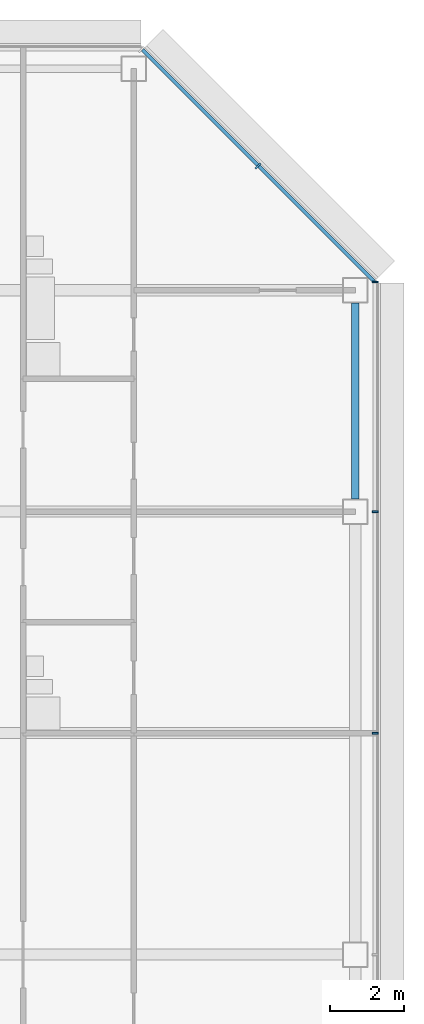
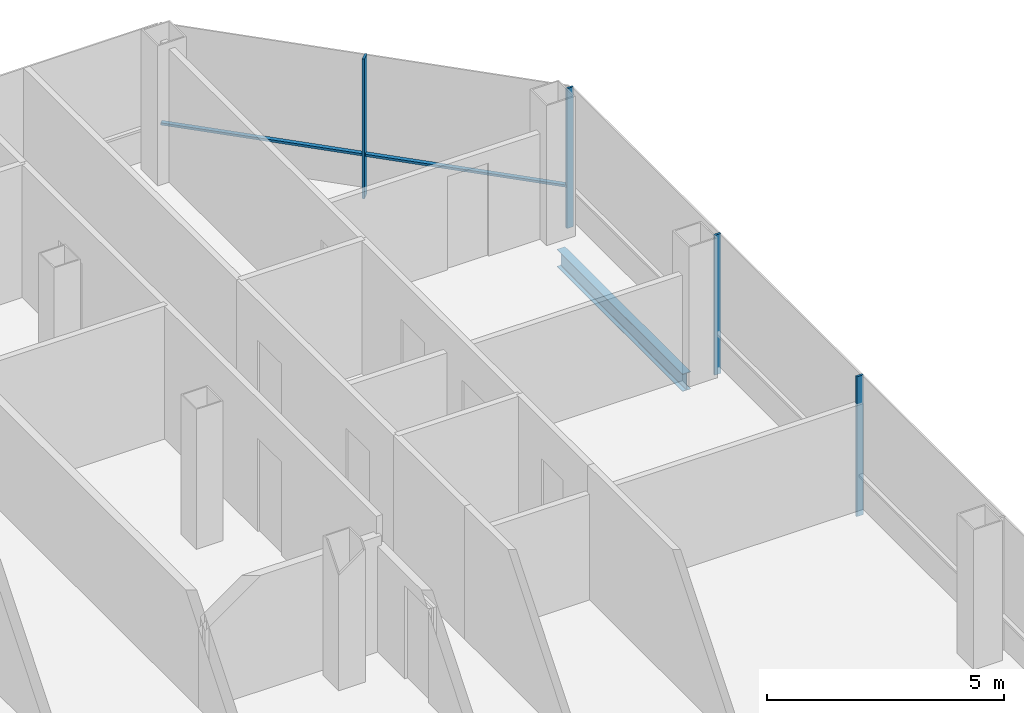
# One storey, part 17 of 26: 5 members, 1 beam, 2 elements without a shape of their own.
"""IFC4 building model written with IfcOpenShell, lengths in metres."""

from ifc_helpers import new_model, si_unit, direction, frame, origin, origin_2d, place, context, subcontext, project, spatial, rectangle, i_section, extrude, material, material_profile, profile_set, type_object, element, aggregate, save


model = new_model("IFC4")

# Units and contexts
model_context = context("Model", 3, precision=1e-05, world=origin(), true_north=direction((0.0, 1.0)))
body_context = subcontext(model_context, "Body", "Model", "MODEL_VIEW")
ifc_project = project(units=[si_unit("LENGTHUNIT", "METRE"), si_unit("AREAUNIT", "SQUARE_METRE"), si_unit("VOLUMEUNIT", "CUBIC_METRE"), si_unit("PLANEANGLEUNIT", "RADIAN"), si_unit("MASSUNIT", "GRAM", prefix="KILO")], contexts=[model_context])

# Site, building, storey
site_placement = place(None, origin())
site = spatial("IfcSite", under=ifc_project, at=site_placement, CompositionType="ELEMENT")
building_placement = place(site_placement, origin())
building = spatial("IfcBuilding", under=site, at=building_placement, Name="Sorahane Residences", CompositionType="ELEMENT")
storey_placement = place(building_placement, frame((0.0, 0.0, 151.0)))
storey = spatial("IfcBuildingStorey", under=building, at=storey_placement, Name="L34", CompositionType="ELEMENT", Elevation=151.0)

# Curtain wall, members
ifc_material_1 = material(Name="Dark low-e glass and black anodised aluminium", Category="aluminium")
curtain_wall_type_1 = type_object("IfcCurtainWallType", Name="Curtain wall CW-1 Typical unitised wall", PredefinedType="NOTDEFINED", material=ifc_material_1)
curtain_wall_1_placement = place(storey_placement, origin())
curtain_wall_1 = element("IfcCurtainWall", 1, at=curtain_wall_1_placement, inside=storey, type_object=curtain_wall_type_1, Name="CW-1 curtain wall L34 E1", PredefinedType="NOTDEFINED")
ifc_material_2 = material(Name="Black anodised aluminium", Category="aluminium")
ifc_material_profile_1 = material_profile(ifc_material_2, rectangle(XDim=0.159912109375, YDim=0.050048828125, at=origin_2d()), Name="Curtain wall mullion CW-1 black anodised aluminium 50x160")
ifc_profile_set_1 = profile_set([ifc_material_profile_1], Name="Black anodised aluminium")
member_type_1 = type_object("IfcMemberType", Name="Curtain wall mullion CW-1 black anodised aluminium 50x160", PredefinedType="MULLION", material=ifc_profile_set_1)
member_1_placement = place(storey_placement, frame((60.5400390625, 30.0, -0.179931640625), z_axis=(0.0, 0.0, 1.0), x_axis=(1.0, 0.0, 0.0)))
member_1 = element("IfcMember", 2, at=member_1_placement, type_object=member_type_1, Name="CW-1 mullion L34 E1.5", PredefinedType="MULLION", context=body_context, shape_type="SweptSolid", body=[
    extrude(rectangle(XDim=0.159912109375, YDim=0.050048828125, at=origin_2d()), origin(), (0.0, 0.0, 1.0), 3.599853515625),
])
member_2_placement = place(storey_placement, frame((60.5400390625, 36.0, -0.179931640625), z_axis=(0.0, 0.0, 1.0), x_axis=(1.0, 0.0, 0.0)))
member_2 = element("IfcMember", 3, at=member_2_placement, type_object=member_type_1, Name="CW-1 mullion L34 E1.6", PredefinedType="MULLION", context=body_context, shape_type="SweptSolid", body=[
    extrude(rectangle(XDim=0.159912109375, YDim=0.050048828125, at=origin_2d()), origin(), (0.0, 0.0, 1.0), 3.599853515625),
])
member_3_placement = place(storey_placement, frame((60.5400390625, 42.2236328125, -0.179931640625), z_axis=(0.0, 0.0, 1.0), x_axis=(1.0, 0.0, 0.0)))
member_3 = element("IfcMember", 4, at=member_3_placement, type_object=member_type_1, Name="CW-1 mullion L34 E1.7", PredefinedType="MULLION", context=body_context, shape_type="SweptSolid", body=[
    extrude(rectangle(XDim=0.159912109375, YDim=0.050048828125, at=origin_2d()), origin(), (0.0, 0.0, 1.0), 3.599853515625),
])
aggregate(curtain_wall_1, [member_1, member_2, member_3])

ifc_material_3 = material(Name="Dark low-e glass and black anodised aluminium", Category="aluminium")
curtain_wall_type_2 = type_object("IfcCurtainWallType", Name="Curtain wall CW-2 Chamfer unitised wall", PredefinedType="NOTDEFINED", material=ifc_material_3)
curtain_wall_2_placement = place(storey_placement, origin())
curtain_wall_2 = element("IfcCurtainWall", 5, at=curtain_wall_2_placement, inside=storey, type_object=curtain_wall_type_2, Name="CW-2 curtain wall L34 NE1", PredefinedType="NOTDEFINED")
ifc_material_4 = material(Name="Black anodised aluminium", Category="aluminium")
ifc_material_profile_2 = material_profile(ifc_material_4, rectangle(XDim=0.199951171875, YDim=0.050048828125, at=origin_2d()), Name="Curtain wall mullion CW-2 black anodised aluminium 50x200")
ifc_profile_set_2 = profile_set([ifc_material_profile_2], Name="Black anodised aluminium")
member_type_2 = type_object("IfcMemberType", Name="Curtain wall mullion CW-2 black anodised aluminium 50x200", PredefinedType="MULLION", material=ifc_profile_set_2)
member_4_placement = place(storey_placement, frame((57.36767578125, 45.36767578125, -0.179931640625), z_axis=(0.0, 0.0, 1.0), x_axis=(0.707106781187, 0.707106781187, 0.0)))
member_4 = element("IfcMember", 6, at=member_4_placement, type_object=member_type_2, Name="CW-2 mullion L34 NE1.2", PredefinedType="MULLION", context=body_context, shape_type="SweptSolid", body=[
    extrude(rectangle(XDim=0.199951171875, YDim=0.050048828125, at=origin_2d()), origin(), (0.0, 0.0, 1.0), 3.599853515625),
])
ifc_material_5 = material(Name="Black anodised aluminium", Category="aluminium")
ifc_material_profile_3 = material_profile(ifc_material_5, rectangle(XDim=0.10009765625, YDim=0.06005859375, at=origin_2d()), Name="Curtain wall transom CW-2 black anodised aluminium 60x100")
ifc_profile_set_3 = profile_set([ifc_material_profile_3], Name="Black anodised aluminium")
member_type_3 = type_object("IfcMemberType", Name="Curtain wall transom CW-2 black anodised aluminium 60x100", PredefinedType="USERDEFINED", material=ifc_profile_set_3)
member_5_placement = place(storey_placement, frame((60.51513671875, 42.234375, 0.89990234375), z_axis=(-0.707106781187, 0.707106781187, 0.0), x_axis=(-0.707106781187, -0.707106781187, 0.0)))
member_5 = element("IfcMember", 7, at=member_5_placement, type_object=member_type_3, Name="CW-2 transom L34 NE1", ObjectType="TRANSOM", PredefinedType="USERDEFINED", context=body_context, shape_type="SweptSolid", body=[
    extrude(rectangle(XDim=0.10009765625, YDim=0.06005859375, at=origin_2d()), origin(), (0.0, 0.0, 1.0), 8.88232421875),
])
aggregate(curtain_wall_2, [member_4, member_5])

# Beam
ifc_material_6 = material(Name="Steel Q355B", Category="steel")
ifc_material_profile_4 = material_profile(ifc_material_6, i_section(OverallWidth=0.199951171875, OverallDepth=0.449951171875, WebThickness=0.009033203125, FlangeThickness=0.013916015625, FilletRadius=0.02001953125, at=origin_2d()), Name="HN 450x200x9x14")
ifc_profile_set_4 = profile_set([ifc_material_profile_4], Name="Steel Q355B")
beam_type = type_object("IfcBeamType", Name="Steel floor beam HN 450x200x9x14 Q355B", PredefinedType="BEAM", material=ifc_profile_set_4)
beam_placement = place(storey_placement, frame((60.0, 36.35009765625, -0.405029296875), z_axis=(0.0, 1.0, 0.0), x_axis=(-1.0, 0.0, 0.0)))
element("IfcBeam", 8, at=beam_placement, inside=storey, type_object=beam_type, Name="Beam L34 067", PredefinedType="BEAM", context=body_context, shape_type="SweptSolid", body=[
    extrude(i_section(OverallWidth=0.199951171875, OverallDepth=0.449951171875, WebThickness=0.009033203125, FlangeThickness=0.013916015625, FilletRadius=0.02001953125, at=origin_2d()), origin(), (0.0, 0.0, 1.0), 5.2998046875),
])

save(model, "model.ifc")
